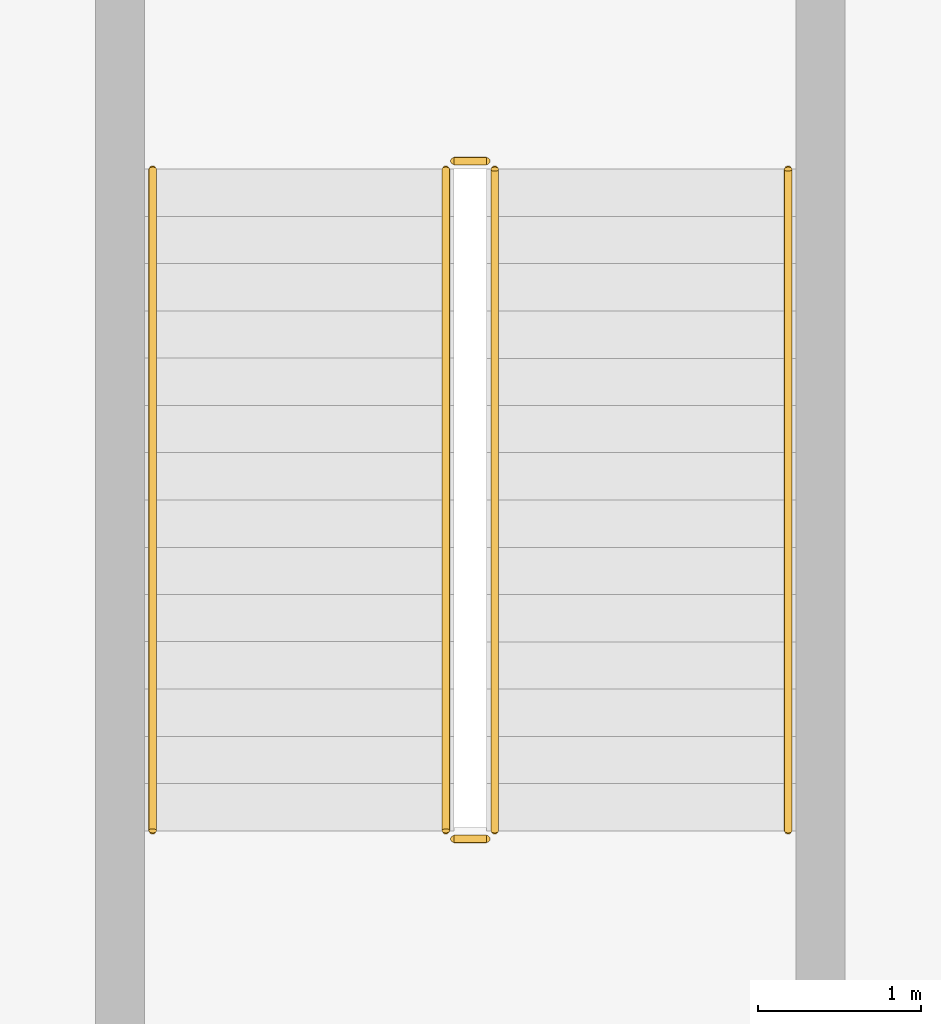
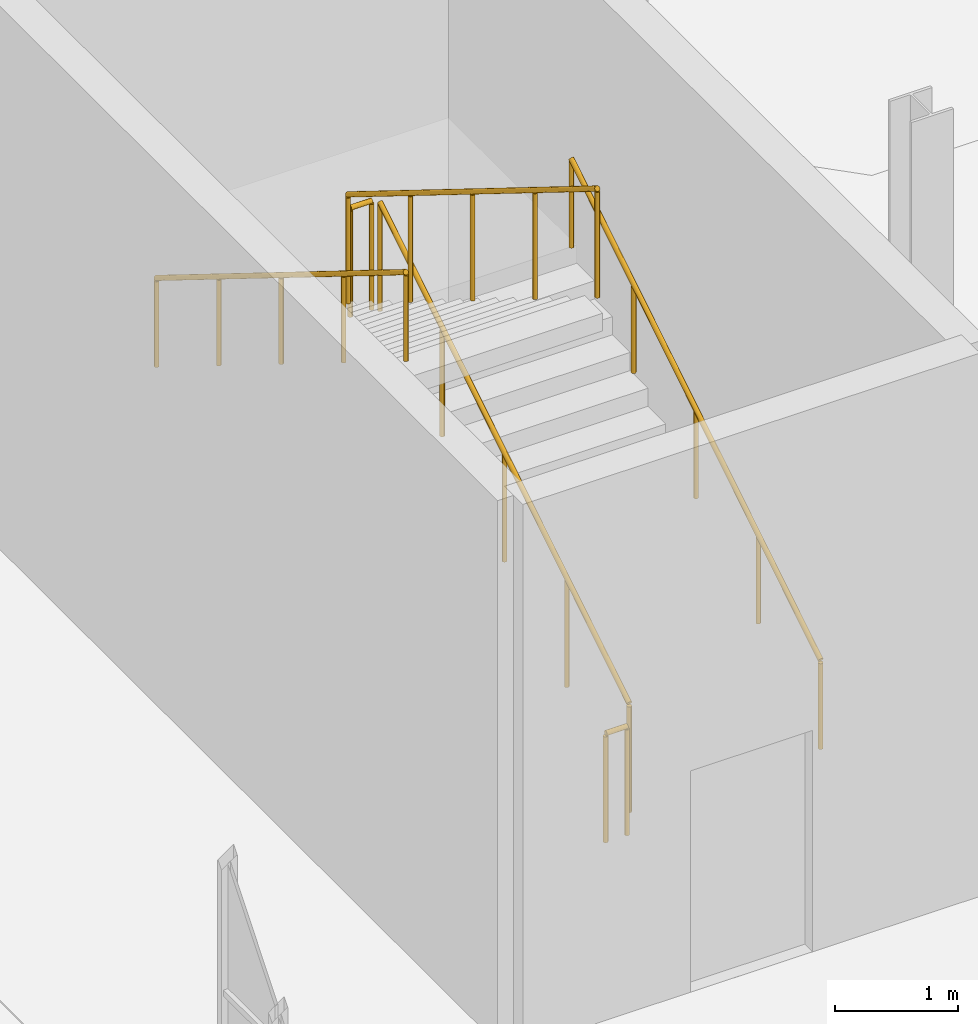
# One storey, part 181 of 189: 6 railings.
"""IFC4 building model written with IfcOpenShell, lengths in metres."""

from ifc_helpers import new_model, si_unit, direction, frame, origin, origin_2d, place, context, subcontext, project, spatial, circle, extrude, material, type_object, element, save


model = new_model("IFC4")

# Units and contexts
model_context = context("Model", 3, precision=1e-05, world=origin(), true_north=direction((0.0, 1.0)))
body_context = subcontext(model_context, "Body", "Model", "MODEL_VIEW")
ifc_project = project(units=[si_unit("LENGTHUNIT", "METRE"), si_unit("AREAUNIT", "SQUARE_METRE"), si_unit("VOLUMEUNIT", "CUBIC_METRE"), si_unit("PLANEANGLEUNIT", "RADIAN"), si_unit("MASSUNIT", "GRAM", prefix="KILO"), si_unit("THERMODYNAMICTEMPERATUREUNIT", "KELVIN"), si_unit("POWERUNIT", "WATT")], contexts=[model_context])

# Site, building, storey
site_placement = place(None, origin())
site = spatial("IfcSite", under=ifc_project, at=site_placement, CompositionType="ELEMENT")
building_placement = place(site_placement, origin())
building = spatial("IfcBuilding", under=site, at=building_placement, Name="Zelmaris Science Centre", CompositionType="ELEMENT")
storey_placement = place(building_placement, origin())
storey = spatial("IfcBuildingStorey", under=building, at=storey_placement, Name="L00", CompositionType="ELEMENT", Elevation=0.0)

# Railings
ifc_material = material(Name="Architectural bronze alloy C28000")
railing_type_1 = type_object("IfcRailingType", Name="Balustrade GD-01 H1120", PredefinedType="BALUSTRADE", material=ifc_material)
railing_1_placement = place(storey_placement, frame((14.64990234375, 30.949951171875, 0.179931640625)))
element("IfcRailing", 1, at=railing_1_placement, inside=storey, type_object=railing_type_1, Name="L00 ST-6 stair guard 1", PredefinedType="BALUSTRADE", context=body_context, shape_type="SweptSolid", body=[
    extrude(circle(Radius=0.02392578125, at=origin_2d()), frame((0.0, 0.0, 1.076171875), z_axis=(0.0, 0.849641744969, 0.527360318194), x_axis=(-1.0, 0.0, 0.0)), (0.0, 0.0, 1.0), 4.778564453125),
    extrude(circle(Radius=0.02099609375, at=origin_2d()), origin(), (0.0, 0.0, 1.0), 1.052001953125),
    extrude(circle(Radius=0.02099609375, at=origin_2d()), frame((0.0, 1.01513671875, 0.6298828125)), (0.0, 0.0, 1.0), 1.052001953125),
    extrude(circle(Radius=0.02099609375, at=origin_2d()), frame((0.0, 2.030029296875, 1.260009765625)), (0.0, 0.0, 1.0), 1.052001953125),
    extrude(circle(Radius=0.02099609375, at=origin_2d()), frame((0.0, 3.044921875, 1.89013671875)), (0.0, 0.0, 1.0), 1.052001953125),
    extrude(circle(Radius=0.02099609375, at=origin_2d()), frame((0.0, 4.06005859375, 2.52001953125)), (0.0, 0.0, 1.0), 1.052001953125),
])
railing_2_placement = place(storey_placement, frame((14.60009765625, 35.06005859375, 2.699951171875)))
element("IfcRailing", 2, at=railing_2_placement, inside=storey, type_object=railing_type_1, Name="L00 ST-6 stair guard 2", PredefinedType="BALUSTRADE", context=body_context, shape_type="SweptSolid", body=[
    extrude(circle(Radius=0.02392578125, at=origin_2d()), frame((0.0, 0.0, 1.076171875), z_axis=(-1.0, 0.0, 0.0), x_axis=(0.0, -1.0, 0.0)), (0.0, 0.0, 1.0), 0.2001953125),
    extrude(circle(Radius=0.02099609375, at=origin_2d()), origin(), (0.0, 0.0, 1.0), 1.052001953125),
    extrude(circle(Radius=0.02099609375, at=origin_2d()), frame((-0.2001953125, 0.0, 0.0)), (0.0, 0.0, 1.0), 1.052001953125),
])
railing_3_placement = place(storey_placement, frame((14.35009765625, 35.010009765625, 2.8798828125)))
element("IfcRailing", 3, at=railing_3_placement, inside=storey, type_object=railing_type_1, Name="L00 ST-6 stair guard 3", PredefinedType="BALUSTRADE", context=body_context, shape_type="SweptSolid", body=[
    extrude(circle(Radius=0.02392578125, at=origin_2d()), frame((0.0, 0.0, 1.076171875), z_axis=(0.0, -0.849641744969, 0.527360318194), x_axis=(1.0, 0.0, 0.0)), (0.0, 0.0, 1.0), 4.778564453125),
    extrude(circle(Radius=0.02099609375, at=origin_2d()), origin(), (0.0, 0.0, 1.0), 1.052001953125),
    extrude(circle(Radius=0.02099609375, at=origin_2d()), frame((0.0, -1.01513671875, 0.6298828125)), (0.0, 0.0, 1.0), 1.052001953125),
    extrude(circle(Radius=0.02099609375, at=origin_2d()), frame((0.0, -2.030029296875, 1.260009765625)), (0.0, 0.0, 1.0), 1.052001953125),
    extrude(circle(Radius=0.02099609375, at=origin_2d()), frame((0.0, -3.044921875, 1.89013671875)), (0.0, 0.0, 1.0), 1.052001953125),
    extrude(circle(Radius=0.02099609375, at=origin_2d()), frame((0.0, -4.06005859375, 2.52001953125)), (0.0, 0.0, 1.0), 1.052001953125),
])
railing_4_placement = place(storey_placement, frame((14.60009765625, 30.89990234375, 0.0)))
element("IfcRailing", 4, at=railing_4_placement, inside=storey, type_object=railing_type_1, Name="L00 ST-6 stair guard 4", PredefinedType="BALUSTRADE", context=body_context, shape_type="SweptSolid", body=[
    extrude(circle(Radius=0.02392578125, at=origin_2d()), frame((0.0, 0.0, 1.076171875), z_axis=(-1.0, 0.0, 0.0), x_axis=(0.0, -1.0, 0.0)), (0.0, 0.0, 1.0), 0.2001953125),
    extrude(circle(Radius=0.02099609375, at=origin_2d()), origin(), (0.0, 0.0, 1.0), 1.052001953125),
    extrude(circle(Radius=0.02099609375, at=origin_2d()), frame((-0.2001953125, 0.0, 0.0)), (0.0, 0.0, 1.0), 1.052001953125),
])
railing_type_2 = type_object("IfcRailingType", Name="Handrail HR-01 H900", PredefinedType="HANDRAIL", material=ifc_material)
railing_5_placement = place(storey_placement, frame((16.449951171875, 30.949951171875, 0.179931640625)))
element("IfcRailing", 5, at=railing_5_placement, inside=storey, type_object=railing_type_2, Name="L00 ST-6 stair handrail 1", PredefinedType="HANDRAIL", context=body_context, shape_type="SweptSolid", body=[
    extrude(circle(Radius=0.02392578125, at=origin_2d()), frame((0.0, 0.0, 0.8759765625), z_axis=(0.0, 0.849641744969, 0.527360318194), x_axis=(-1.0, 0.0, 0.0)), (0.0, 0.0, 1.0), 4.778564453125),
    extrude(circle(Radius=0.02099609375, at=origin_2d()), origin(), (0.0, 0.0, 1.0), 0.851806640625),
    extrude(circle(Radius=0.02099609375, at=origin_2d()), frame((0.0, 1.01513671875, 0.6298828125)), (0.0, 0.0, 1.0), 0.851806640625),
    extrude(circle(Radius=0.02099609375, at=origin_2d()), frame((0.0, 2.030029296875, 1.260009765625)), (0.0, 0.0, 1.0), 0.851806640625),
    extrude(circle(Radius=0.02099609375, at=origin_2d()), frame((0.0, 3.044921875, 1.89013671875)), (0.0, 0.0, 1.0), 0.851806640625),
    extrude(circle(Radius=0.02099609375, at=origin_2d()), frame((0.0, 4.06005859375, 2.52001953125)), (0.0, 0.0, 1.0), 0.851806640625),
])
railing_6_placement = place(storey_placement, frame((12.550048828125, 35.010009765625, 2.8798828125)))
element("IfcRailing", 6, at=railing_6_placement, inside=storey, type_object=railing_type_2, Name="L00 ST-6 stair handrail 2", PredefinedType="HANDRAIL", context=body_context, shape_type="SweptSolid", body=[
    extrude(circle(Radius=0.02392578125, at=origin_2d()), frame((0.0, 0.0, 0.8759765625), z_axis=(0.0, -0.849641744969, 0.527360318194), x_axis=(1.0, 0.0, 0.0)), (0.0, 0.0, 1.0), 4.778564453125),
    extrude(circle(Radius=0.02099609375, at=origin_2d()), origin(), (0.0, 0.0, 1.0), 0.851806640625),
    extrude(circle(Radius=0.02099609375, at=origin_2d()), frame((0.0, -1.01513671875, 0.6298828125)), (0.0, 0.0, 1.0), 0.851806640625),
    extrude(circle(Radius=0.02099609375, at=origin_2d()), frame((0.0, -2.030029296875, 1.260009765625)), (0.0, 0.0, 1.0), 0.851806640625),
    extrude(circle(Radius=0.02099609375, at=origin_2d()), frame((0.0, -3.044921875, 1.89013671875)), (0.0, 0.0, 1.0), 0.851806640625),
    extrude(circle(Radius=0.02099609375, at=origin_2d()), frame((0.0, -4.06005859375, 2.52001953125)), (0.0, 0.0, 1.0), 0.851806640625),
])

save(model, "model.ifc")
